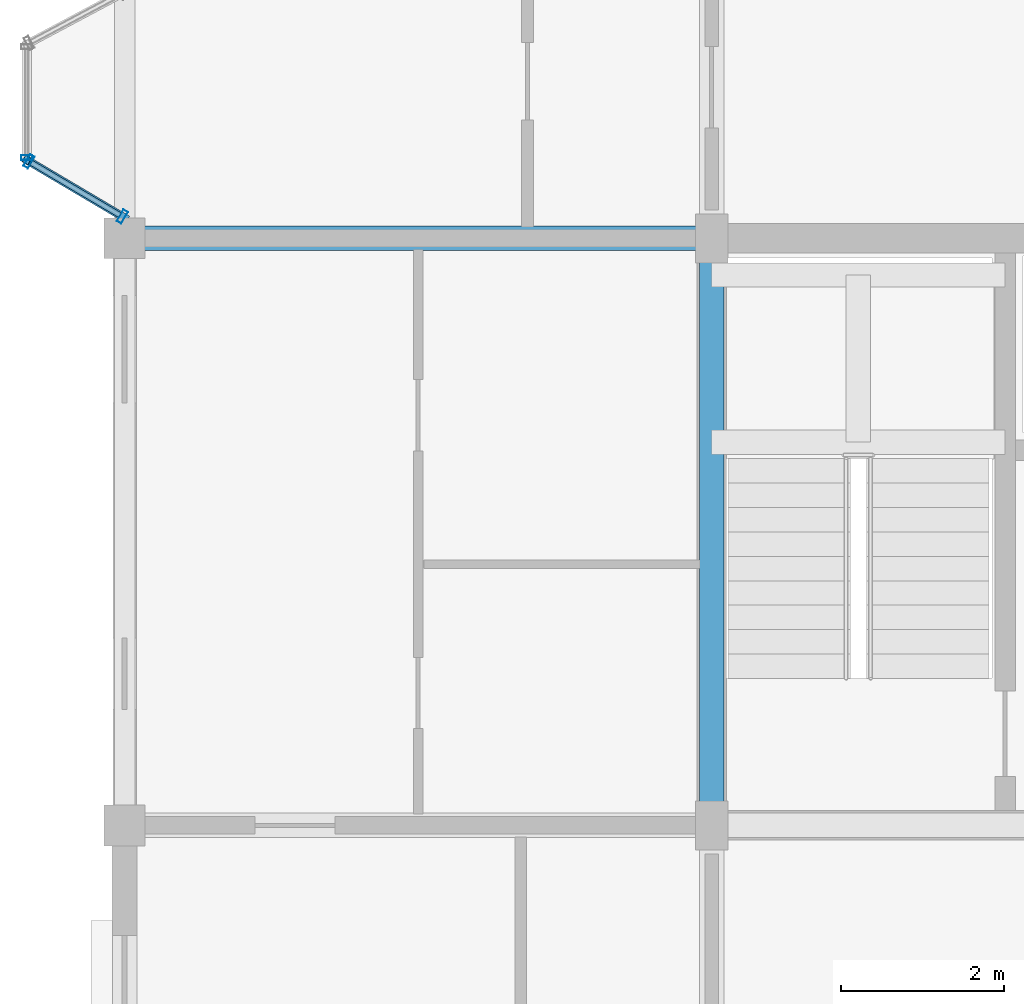
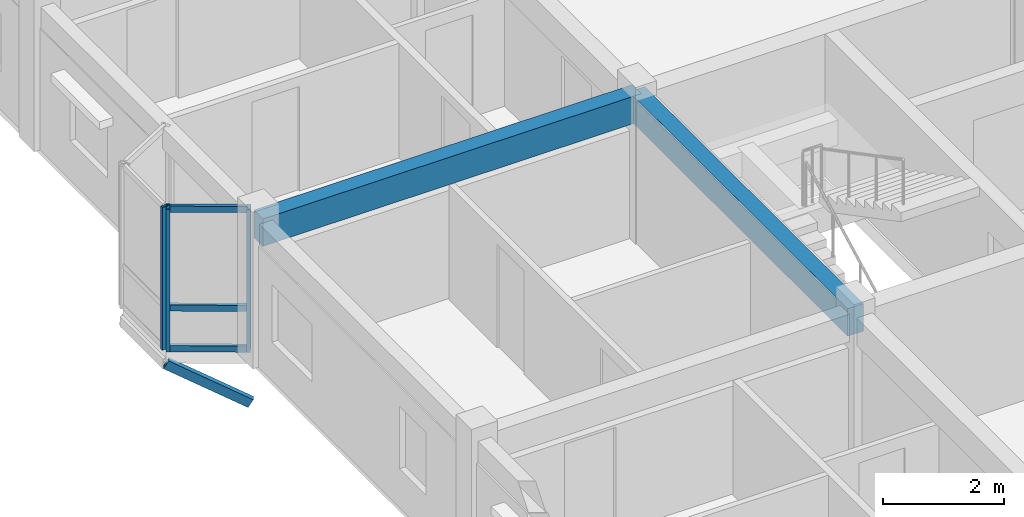
# One storey, part 5 of 65: 7 members, 2 beams, 2 elements without a shape of their own.
"""IFC4 building model written with IfcOpenShell, lengths in metres."""

from ifc_helpers import new_model, si_unit, direction, frame, origin, origin_2d, place, context, subcontext, project, spatial, rectangle, hollow_rectangle, extrude, material, layer, layer_set, material_profile, profile_set, type_object, element, aggregate, save


model = new_model("IFC4")

# Units and contexts
model_context = context("Model", 3, precision=1e-05, world=origin(), true_north=direction((0.0, 1.0)))
body_context = subcontext(model_context, "Body", "Model", "MODEL_VIEW")
ifc_project = project(units=[si_unit("LENGTHUNIT", "METRE"), si_unit("AREAUNIT", "SQUARE_METRE"), si_unit("VOLUMEUNIT", "CUBIC_METRE"), si_unit("PLANEANGLEUNIT", "RADIAN"), si_unit("MASSUNIT", "GRAM", prefix="KILO"), si_unit("THERMODYNAMICTEMPERATUREUNIT", "KELVIN"), si_unit("POWERUNIT", "WATT")], contexts=[model_context])

# Site, building, storey
site_placement = place(None, origin())
site = spatial("IfcSite", under=ifc_project, at=site_placement, CompositionType="ELEMENT")
building_placement = place(site_placement, origin())
building = spatial("IfcBuilding", under=site, at=building_placement, Name="Tavuni Mirador Residences", CompositionType="ELEMENT")
storey_placement = place(building_placement, frame((0.0, 0.0, 29.699951171875)))
storey = spatial("IfcBuildingStorey", under=building, at=storey_placement, Name="L09", CompositionType="ELEMENT", Elevation=29.699951171875)

# Beams
ifc_material_1 = material(Name="Precast concrete C40/50", Category="concrete")
ifc_material_profile_1 = material_profile(ifc_material_1, rectangle(XDim=0.300048828125, YDim=0.550048828125, at=origin_2d()), Name="PC 300x550", Category="concrete")
ifc_profile_set_1 = profile_set([ifc_material_profile_1], Name="Precast concrete C40/50")
beam_type = type_object("IfcBeamType", Name="BT-B550", PredefinedType="BEAM", material=ifc_profile_set_1)
beam_1_placement = place(storey_placement, frame((3.60009765625, 21.60009765625, 2.594970703125), z_axis=(1.0, 0.0, 0.0), x_axis=(0.0, 1.0, 0.0)))
element("IfcBeam", 1, at=beam_1_placement, inside=storey, type_object=beam_type, Name="BMX-BLK-A-L09-00-02", PredefinedType="BEAM", context=body_context, shape_type="SweptSolid", body=[
    extrude(rectangle(XDim=0.300048828125, YDim=0.550048828125, at=origin_2d()), origin(), (0.0, 0.0, 1.0), 7.199951171875),
])
beam_2_placement = place(storey_placement, frame((10.800048828125, 14.39990234375, 2.594970703125), z_axis=(0.0, 1.0, 0.0), x_axis=(-1.0, 0.0, 0.0)))
element("IfcBeam", 2, at=beam_2_placement, inside=storey, type_object=beam_type, Name="BMY-BLK-A-L09-01-01", PredefinedType="BEAM", context=body_context, shape_type="SweptSolid", body=[
    extrude(rectangle(XDim=0.300048828125, YDim=0.550048828125, at=origin_2d()), origin(), (0.0, 0.0, 1.0), 7.2001953125),
])

# Curtain wall, member
ifc_material_2 = material(Name="Anodised aluminium", Category="aluminium")
ifc_layer_1 = layer(ifc_material_2, 0.1650390625, Name="Anodised aluminium", Category="aluminium")
ifc_layer_set_1 = layer_set([ifc_layer_1], Name="Anodised aluminium")
curtain_wall_type_1 = type_object("IfcCurtainWallType", Name="CWT-MIR-A", PredefinedType="NOTDEFINED", material=ifc_layer_set_1)
curtain_wall_1_placement = place(storey_placement, origin())
curtain_wall_1 = element("IfcCurtainWall", 3, at=curtain_wall_1_placement, inside=storey, type_object=curtain_wall_type_1, Name="CW-MIR-A-W2-L09-MF", PredefinedType="NOTDEFINED")
ifc_material_profile_2 = material_profile(ifc_material_2, hollow_rectangle(XDim=0.06005859375, YDim=0.139892578125, WallThickness=0.00390625, at=origin_2d()), Name="ALU 60x140x4.0", Category="aluminium")
ifc_profile_set_2 = profile_set([ifc_material_profile_2], Name="Anodised aluminium")
member_type_1 = type_object("IfcMemberType", Name="CWM-140", PredefinedType="MULLION", material=ifc_profile_set_2)
member_1_placement = place(storey_placement, frame((2.39990234375, 22.590087890625, 0.0), z_axis=(0.0, 0.0, 1.0), x_axis=(0.0, -1.0, 0.0)))
member_1 = element("IfcMember", 4, at=member_1_placement, type_object=member_type_1, Name="CW-01 mullion 2", PredefinedType="MULLION", context=body_context, shape_type="SweptSolid", body=[
    extrude(hollow_rectangle(XDim=0.06005859375, YDim=0.139892578125, WallThickness=0.00390625, at=origin_2d()), origin(), (0.0, 0.0, 1.0), 2.8701171875),
])
aggregate(curtain_wall_1, [member_1])

# Curtain wall, members
ifc_layer_2 = layer(ifc_material_2, 0.14990234375, Name="Anodised aluminium", Category="aluminium")
ifc_layer_set_2 = layer_set([ifc_layer_2], Name="Anodised aluminium")
curtain_wall_type_2 = type_object("IfcCurtainWallType", Name="CWT-MIR-B", PredefinedType="NOTDEFINED", material=ifc_layer_set_2)
curtain_wall_2_placement = place(storey_placement, origin())
curtain_wall_2 = element("IfcCurtainWall", 5, at=curtain_wall_2_placement, inside=storey, type_object=curtain_wall_type_2, Name="CW-MIR-A-W2-L09-M2", PredefinedType="NOTDEFINED")
ifc_material_profile_3 = material_profile(ifc_material_2, hollow_rectangle(XDim=0.06494140625, YDim=0.1650390625, WallThickness=0.00439453125, at=origin_2d()), Name="ALU 65x165x4.5", Category="aluminium")
ifc_profile_set_3 = profile_set([ifc_material_profile_3], Name="Anodised aluminium")
member_type_2 = type_object("IfcMemberType", Name="CWM-165", PredefinedType="MULLION", material=ifc_profile_set_3)
member_2_placement = place(storey_placement, frame((2.427978515625, 22.54345703125, 0.0), z_axis=(0.0, 0.0, 1.0), x_axis=(0.860640830284, -0.509212491254, 0.0)))
member_2 = element("IfcMember", 6, at=member_2_placement, type_object=member_type_2, Name="CW-02 mullion 1", PredefinedType="MULLION", context=body_context, shape_type="SweptSolid", body=[
    extrude(hollow_rectangle(XDim=0.06494140625, YDim=0.1650390625, WallThickness=0.00439453125, at=origin_2d()), origin(), (0.0, 0.0, 1.0), 2.8701171875),
])
member_3_placement = place(storey_placement, frame((3.572021484375, 21.866455078125, 0.0), z_axis=(0.0, 0.0, 1.0), x_axis=(0.860640830284, -0.509212491254, 0.0)))
member_3 = element("IfcMember", 7, at=member_3_placement, type_object=member_type_2, Name="CW-02 mullion 2", PredefinedType="MULLION", context=body_context, shape_type="SweptSolid", body=[
    extrude(hollow_rectangle(XDim=0.06494140625, YDim=0.1650390625, WallThickness=0.00439453125, at=origin_2d()), origin(), (0.0, 0.0, 1.0), 2.8701171875),
])
ifc_material_profile_4 = material_profile(ifc_material_2, hollow_rectangle(XDim=0.06494140625, YDim=0.125, WallThickness=0.00439453125, at=origin_2d()), Name="ALU 65x125x4.5", Category="aluminium")
ifc_profile_set_4 = profile_set([ifc_material_profile_4], Name="Anodised aluminium")
member_type_3 = type_object("IfcMemberType", Name="CWT-125", PredefinedType="USERDEFINED", material=ifc_profile_set_4)
member_4_placement = place(storey_placement, frame((2.4560546875, 22.52685546875, 0.032470703125), z_axis=(0.86059568564, -0.509288784343, 0.0), x_axis=(0.509288784343, 0.86059568564, 0.0)))
member_4 = element("IfcMember", 8, at=member_4_placement, type_object=member_type_3, Name="CW-02 transom 1.1", ObjectType="TRANSOM", PredefinedType="USERDEFINED", context=body_context, shape_type="SweptSolid", body=[
    extrude(hollow_rectangle(XDim=0.06494140625, YDim=0.125, WallThickness=0.00439453125, at=origin_2d()), origin(), (0.0, 0.0, 1.0), 1.26416015625),
])
member_5_placement = place(storey_placement, frame((2.4560546875, 22.52685546875, 0.85009765625), z_axis=(0.86059568564, -0.509288784343, 0.0), x_axis=(0.509288784343, 0.86059568564, 0.0)))
member_5 = element("IfcMember", 9, at=member_5_placement, type_object=member_type_3, Name="CW-02 transom 1.2", ObjectType="TRANSOM", PredefinedType="USERDEFINED", context=body_context, shape_type="SweptSolid", body=[
    extrude(hollow_rectangle(XDim=0.06494140625, YDim=0.125, WallThickness=0.00439453125, at=origin_2d()), origin(), (0.0, 0.0, 1.0), 1.26416015625),
])
member_6_placement = place(storey_placement, frame((2.4560546875, 22.52685546875, 2.837646484375), z_axis=(0.86059568564, -0.509288784343, 0.0), x_axis=(0.509288784343, 0.86059568564, 0.0)))
member_6 = element("IfcMember", 10, at=member_6_placement, type_object=member_type_3, Name="CW-02 transom 1.3", ObjectType="TRANSOM", PredefinedType="USERDEFINED", context=body_context, shape_type="SweptSolid", body=[
    extrude(hollow_rectangle(XDim=0.06494140625, YDim=0.125, WallThickness=0.00439453125, at=origin_2d()), origin(), (0.0, 0.0, 1.0), 1.26416015625),
])
aggregate(curtain_wall_2, [member_2, member_3, member_4, member_5, member_6])

# Member
ifc_material_3 = material(Name="Structural steel S355", Category="steel")
ifc_material_profile_5 = material_profile(ifc_material_3, hollow_rectangle(XDim=0.10009765625, YDim=0.179931640625, WallThickness=0.008056640625, at=origin_2d()), Name="RHS 180x100x8.0", Category="steel")
ifc_profile_set_5 = profile_set([ifc_material_profile_5], Name="Structural steel S355")
member_type_4 = type_object("IfcMemberType", Name="MT-BR-RHS180", PredefinedType="BRACE", material=ifc_profile_set_5)
member_7_placement = place(storey_placement, frame((3.60009765625, 21.85009765625, -1.050048828125), z_axis=(-0.753448798133, 0.445693471312, 0.48339656414), x_axis=(-0.50913035723, -0.860689420957, 0.0)))
element("IfcMember", 11, at=member_7_placement, inside=storey, type_object=member_type_4, Name="MBRK-MIR-A-W2-L09-1", PredefinedType="BRACE", context=body_context, shape_type="SweptSolid", body=[
    extrude(hollow_rectangle(XDim=0.10009765625, YDim=0.179931640625, WallThickness=0.008056640625, at=origin_2d()), origin(), (0.0, 0.0, 1.0), 1.593017578125),
])

save(model, "model.ifc")
